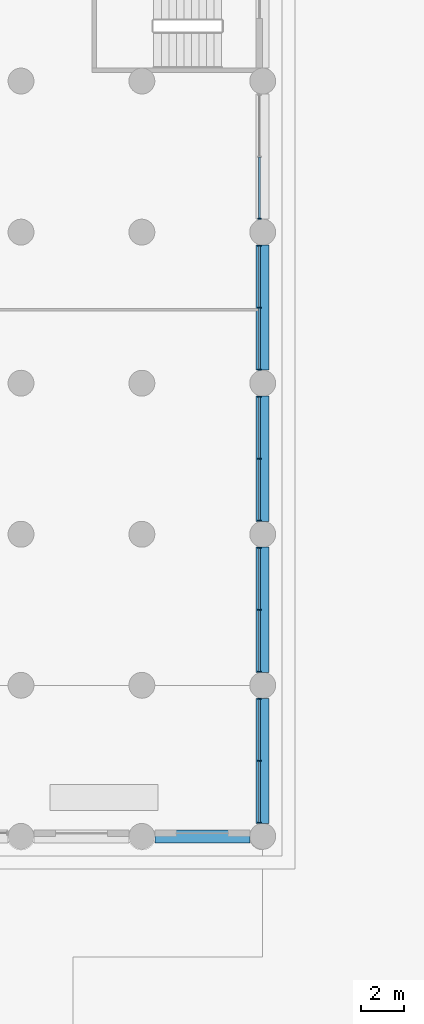
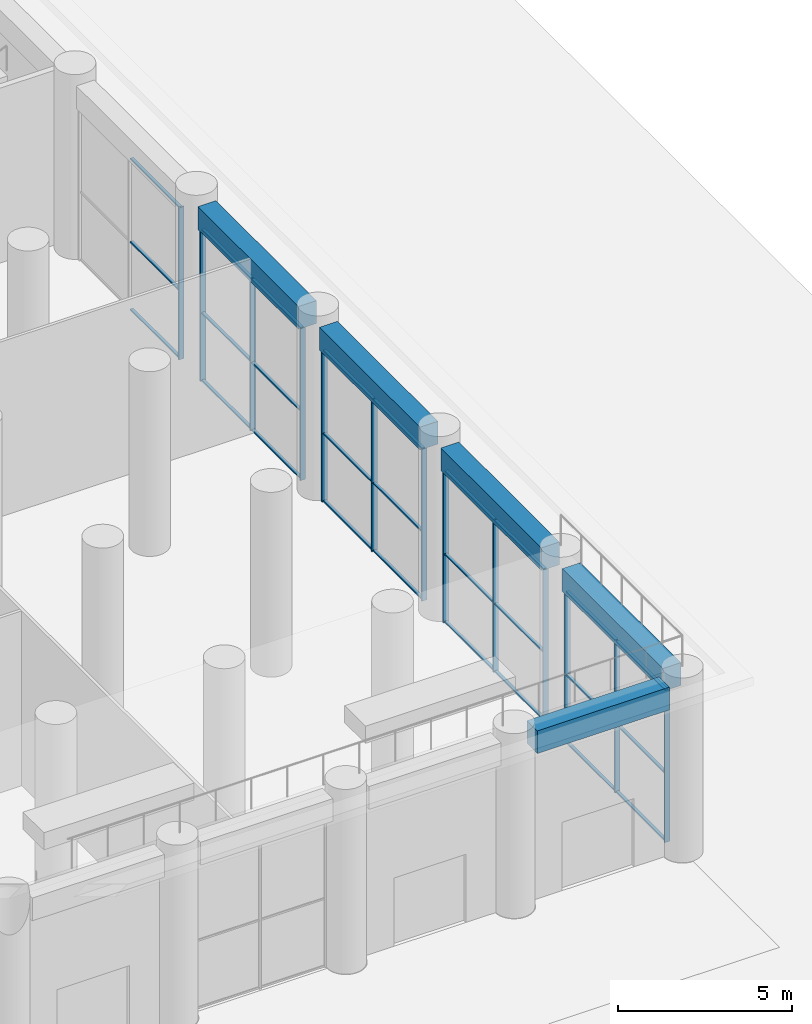
# One storey, part 7 of 51: 40 members, 5 beams, 5 elements without a shape of their own.
"""IFC4 building model written with IfcOpenShell, lengths in metres."""

from ifc_helpers import new_model, si_unit, direction, frame, origin, origin_2d, place, context, subcontext, project, spatial, rectangle, extrude, material, layer, layer_set, material_profile, profile_set, type_object, element, aggregate, save


model = new_model("IFC4")

# Units and contexts
model_context = context("Model", 3, precision=1e-05, world=origin(), true_north=direction((0.0, 1.0)))
body_context = subcontext(model_context, "Body", "Model", "MODEL_VIEW")
ifc_project = project(units=[si_unit("LENGTHUNIT", "METRE"), si_unit("AREAUNIT", "SQUARE_METRE"), si_unit("VOLUMEUNIT", "CUBIC_METRE"), si_unit("PLANEANGLEUNIT", "RADIAN"), si_unit("MASSUNIT", "GRAM", prefix="KILO")], contexts=[model_context])

# Site, building, storey
site_placement = place(None, origin())
site = spatial("IfcSite", under=ifc_project, at=site_placement, CompositionType="ELEMENT")
building_placement = place(site_placement, origin())
building = spatial("IfcBuilding", under=site, at=building_placement, Name="Kiln Ring Residences", CompositionType="ELEMENT")
storey_placement = place(building_placement, origin())
storey = spatial("IfcBuildingStorey", under=building, at=storey_placement, Name="L00", CompositionType="ELEMENT", Elevation=0.0)

# Curtain wall, members
ifc_material_1 = material(Name="Aluminium and glass", Category="aluminium")
ifc_layer = layer(ifc_material_1, 0.179931640625)
ifc_layer_set = layer_set([ifc_layer], Name="CW2 CURTAIN WALL")
curtain_wall_type = type_object("IfcCurtainWallType", Name="CW2 CURTAIN WALL", PredefinedType="NOTDEFINED", material=ifc_layer_set)
placement = place(storey_placement, origin())
curtain_wall_1 = element("IfcCurtainWall", 1, at=placement, inside=storey, type_object=curtain_wall_type, Name="Curtain wall CW2 L00", PredefinedType="NOTDEFINED")
ifc_material_2 = material(Name="Aluminium 6063-T6", Category="aluminium")
ifc_material_profile_1 = material_profile(ifc_material_2, rectangle(XDim=0.179931640625, YDim=0.050048828125, at=origin_2d()), Name="AL 180x50")
ifc_profile_set_1 = profile_set([ifc_material_profile_1], Name="Aluminium 6063-T6")
member_type_1 = type_object("IfcMemberType", Name="CW2 MULLION 180 x 50", PredefinedType="MULLION", material=ifc_profile_set_1)
member_1_placement = place(storey_placement, frame((44.64990234375, -63.77490234375, 0.0), z_axis=(0.0, 0.0, 1.0), x_axis=(-1.0, 0.0, 0.0)))
member_1 = element("IfcMember", 2, at=member_1_placement, type_object=member_type_1, Name="CW2 mullion 1", PredefinedType="MULLION", context=body_context, shape_type="SweptSolid", body=[
    extrude(rectangle(XDim=0.179931640625, YDim=0.050048828125, at=origin_2d()), origin(), (0.0, 0.0, 1.0), 5.35009765625),
])
member_2_placement = place(storey_placement, frame((44.64990234375, -60.89990234375, 0.0), z_axis=(0.0, 0.0, 1.0), x_axis=(-1.0, 0.0, 0.0)))
member_2 = element("IfcMember", 3, at=member_2_placement, type_object=member_type_1, Name="CW2 mullion 2", PredefinedType="MULLION", context=body_context, shape_type="SweptSolid", body=[
    extrude(rectangle(XDim=0.179931640625, YDim=0.050048828125, at=origin_2d()), origin(), (0.0, 0.0, 1.0), 5.35009765625),
])
member_3_placement = place(storey_placement, frame((44.64990234375, -58.02490234375, 0.0), z_axis=(0.0, 0.0, 1.0), x_axis=(-1.0, 0.0, 0.0)))
member_3 = element("IfcMember", 4, at=member_3_placement, type_object=member_type_1, Name="CW2 mullion 3", PredefinedType="MULLION", context=body_context, shape_type="SweptSolid", body=[
    extrude(rectangle(XDim=0.179931640625, YDim=0.050048828125, at=origin_2d()), origin(), (0.0, 0.0, 1.0), 5.35009765625),
])

curtain_wall_2 = element("IfcCurtainWall", 5, at=placement, inside=storey, type_object=curtain_wall_type, Name="Curtain wall CW2 L00", PredefinedType="NOTDEFINED")
member_4_placement = place(storey_placement, frame((44.64990234375, -56.77490234375, 0.0), z_axis=(0.0, 0.0, 1.0), x_axis=(-1.0, 0.0, 0.0)))
member_4 = element("IfcMember", 6, at=member_4_placement, type_object=member_type_1, Name="CW2 mullion 1", PredefinedType="MULLION", context=body_context, shape_type="SweptSolid", body=[
    extrude(rectangle(XDim=0.179931640625, YDim=0.050048828125, at=origin_2d()), origin(), (0.0, 0.0, 1.0), 5.35009765625),
])
member_5_placement = place(storey_placement, frame((44.64990234375, -53.89990234375, 0.0), z_axis=(0.0, 0.0, 1.0), x_axis=(-1.0, 0.0, 0.0)))
member_5 = element("IfcMember", 7, at=member_5_placement, type_object=member_type_1, Name="CW2 mullion 2", PredefinedType="MULLION", context=body_context, shape_type="SweptSolid", body=[
    extrude(rectangle(XDim=0.179931640625, YDim=0.050048828125, at=origin_2d()), origin(), (0.0, 0.0, 1.0), 5.35009765625),
])
member_6_placement = place(storey_placement, frame((44.64990234375, -51.02490234375, 0.0), z_axis=(0.0, 0.0, 1.0), x_axis=(-1.0, 0.0, 0.0)))
member_6 = element("IfcMember", 8, at=member_6_placement, type_object=member_type_1, Name="CW2 mullion 3", PredefinedType="MULLION", context=body_context, shape_type="SweptSolid", body=[
    extrude(rectangle(XDim=0.179931640625, YDim=0.050048828125, at=origin_2d()), origin(), (0.0, 0.0, 1.0), 5.35009765625),
])

curtain_wall_3 = element("IfcCurtainWall", 9, at=placement, inside=storey, type_object=curtain_wall_type, Name="Curtain wall CW2 L00", PredefinedType="NOTDEFINED")
member_7_placement = place(storey_placement, frame((44.64990234375, -49.77490234375, 0.0), z_axis=(0.0, 0.0, 1.0), x_axis=(-1.0, 0.0, 0.0)))
member_7 = element("IfcMember", 10, at=member_7_placement, type_object=member_type_1, Name="CW2 mullion 1", PredefinedType="MULLION", context=body_context, shape_type="SweptSolid", body=[
    extrude(rectangle(XDim=0.179931640625, YDim=0.050048828125, at=origin_2d()), origin(), (0.0, 0.0, 1.0), 5.35009765625),
])
member_8_placement = place(storey_placement, frame((44.64990234375, -46.89990234375, 0.0), z_axis=(0.0, 0.0, 1.0), x_axis=(-1.0, 0.0, 0.0)))
member_8 = element("IfcMember", 11, at=member_8_placement, type_object=member_type_1, Name="CW2 mullion 2", PredefinedType="MULLION", context=body_context, shape_type="SweptSolid", body=[
    extrude(rectangle(XDim=0.179931640625, YDim=0.050048828125, at=origin_2d()), origin(), (0.0, 0.0, 1.0), 5.35009765625),
])
member_9_placement = place(storey_placement, frame((44.64990234375, -44.02490234375, 0.0), z_axis=(0.0, 0.0, 1.0), x_axis=(-1.0, 0.0, 0.0)))
member_9 = element("IfcMember", 12, at=member_9_placement, type_object=member_type_1, Name="CW2 mullion 3", PredefinedType="MULLION", context=body_context, shape_type="SweptSolid", body=[
    extrude(rectangle(XDim=0.179931640625, YDim=0.050048828125, at=origin_2d()), origin(), (0.0, 0.0, 1.0), 5.35009765625),
])

curtain_wall_4 = element("IfcCurtainWall", 13, at=placement, inside=storey, type_object=curtain_wall_type, Name="Curtain wall CW2 L00", PredefinedType="NOTDEFINED")
member_10_placement = place(storey_placement, frame((44.64990234375, -42.77490234375, 0.0), z_axis=(0.0, 0.0, 1.0), x_axis=(-1.0, 0.0, 0.0)))
member_10 = element("IfcMember", 14, at=member_10_placement, type_object=member_type_1, Name="CW2 mullion 1", PredefinedType="MULLION", context=body_context, shape_type="SweptSolid", body=[
    extrude(rectangle(XDim=0.179931640625, YDim=0.050048828125, at=origin_2d()), origin(), (0.0, 0.0, 1.0), 5.35009765625),
])
member_11_placement = place(storey_placement, frame((44.64990234375, -39.89990234375, 0.0), z_axis=(0.0, 0.0, 1.0), x_axis=(-1.0, 0.0, 0.0)))
member_11 = element("IfcMember", 15, at=member_11_placement, type_object=member_type_1, Name="CW2 mullion 2", PredefinedType="MULLION", context=body_context, shape_type="SweptSolid", body=[
    extrude(rectangle(XDim=0.179931640625, YDim=0.050048828125, at=origin_2d()), origin(), (0.0, 0.0, 1.0), 5.35009765625),
])
member_12_placement = place(storey_placement, frame((44.64990234375, -37.02490234375, 0.0), z_axis=(0.0, 0.0, 1.0), x_axis=(-1.0, 0.0, 0.0)))
member_12 = element("IfcMember", 16, at=member_12_placement, type_object=member_type_1, Name="CW2 mullion 3", PredefinedType="MULLION", context=body_context, shape_type="SweptSolid", body=[
    extrude(rectangle(XDim=0.179931640625, YDim=0.050048828125, at=origin_2d()), origin(), (0.0, 0.0, 1.0), 5.35009765625),
])

# Curtain wall, member
curtain_wall_5 = element("IfcCurtainWall", 17, at=placement, inside=storey, type_object=curtain_wall_type, Name="Curtain wall CW2 L00", PredefinedType="NOTDEFINED")
member_13_placement = place(storey_placement, frame((44.64990234375, -35.77490234375, 0.0), z_axis=(0.0, 0.0, 1.0), x_axis=(-1.0, 0.0, 0.0)))
member_13 = element("IfcMember", 18, at=member_13_placement, type_object=member_type_1, Name="CW2 mullion 1", PredefinedType="MULLION", context=body_context, shape_type="SweptSolid", body=[
    extrude(rectangle(XDim=0.179931640625, YDim=0.050048828125, at=origin_2d()), origin(), (0.0, 0.0, 1.0), 5.35009765625),
])

# Member
ifc_material_3 = material(Name="Aluminium 6063-T6", Category="aluminium")
ifc_material_profile_2 = material_profile(ifc_material_3, rectangle(XDim=0.10009765625, YDim=0.050048828125, at=origin_2d()), Name="AL 100x50")
ifc_profile_set_2 = profile_set([ifc_material_profile_2], Name="Aluminium 6063-T6")
member_type_2 = type_object("IfcMemberType", Name="CW2 TRANSOM 100 x 50", PredefinedType="USERDEFINED", material=ifc_profile_set_2)
member_14_placement = place(storey_placement, frame((44.64990234375, -63.75, 0.02490234375), z_axis=(0.0, 1.0, 0.0), x_axis=(-1.0, 0.0, 0.0)))
member_14 = element("IfcMember", 19, at=member_14_placement, type_object=member_type_2, Name="CW2 transom 1.1", ObjectType="TRANSOM", PredefinedType="USERDEFINED", context=body_context, shape_type="SweptSolid", body=[
    extrude(rectangle(XDim=0.10009765625, YDim=0.050048828125, at=origin_2d()), origin(), (0.0, 0.0, 1.0), 2.824951171875),
])

member_15_placement = place(storey_placement, frame((44.64990234375, -63.75, 2.39990234375), z_axis=(0.0, 1.0, 0.0), x_axis=(-1.0, 0.0, 0.0)))
member_15 = element("IfcMember", 20, at=member_15_placement, type_object=member_type_2, Name="CW2 transom 1.2", ObjectType="TRANSOM", PredefinedType="USERDEFINED", context=body_context, shape_type="SweptSolid", body=[
    extrude(rectangle(XDim=0.10009765625, YDim=0.050048828125, at=origin_2d()), origin(), (0.0, 0.0, 1.0), 2.824951171875),
])

member_16_placement = place(storey_placement, frame((44.64990234375, -63.75, 5.324951171875), z_axis=(0.0, 1.0, 0.0), x_axis=(-1.0, 0.0, 0.0)))
member_16 = element("IfcMember", 21, at=member_16_placement, type_object=member_type_2, Name="CW2 transom 1.3", ObjectType="TRANSOM", PredefinedType="USERDEFINED", context=body_context, shape_type="SweptSolid", body=[
    extrude(rectangle(XDim=0.10009765625, YDim=0.050048828125, at=origin_2d()), origin(), (0.0, 0.0, 1.0), 2.824951171875),
])

member_17_placement = place(storey_placement, frame((44.64990234375, -60.875, 0.02490234375), z_axis=(0.0, 1.0, 0.0), x_axis=(-1.0, 0.0, 0.0)))
member_17 = element("IfcMember", 22, at=member_17_placement, type_object=member_type_2, Name="CW2 transom 2.1", ObjectType="TRANSOM", PredefinedType="USERDEFINED", context=body_context, shape_type="SweptSolid", body=[
    extrude(rectangle(XDim=0.10009765625, YDim=0.050048828125, at=origin_2d()), origin(), (0.0, 0.0, 1.0), 2.824951171875),
])

member_18_placement = place(storey_placement, frame((44.64990234375, -60.875, 2.39990234375), z_axis=(0.0, 1.0, 0.0), x_axis=(-1.0, 0.0, 0.0)))
member_18 = element("IfcMember", 23, at=member_18_placement, type_object=member_type_2, Name="CW2 transom 2.2", ObjectType="TRANSOM", PredefinedType="USERDEFINED", context=body_context, shape_type="SweptSolid", body=[
    extrude(rectangle(XDim=0.10009765625, YDim=0.050048828125, at=origin_2d()), origin(), (0.0, 0.0, 1.0), 2.824951171875),
])

member_19_placement = place(storey_placement, frame((44.64990234375, -60.875, 5.324951171875), z_axis=(0.0, 1.0, 0.0), x_axis=(-1.0, 0.0, 0.0)))
member_19 = element("IfcMember", 24, at=member_19_placement, type_object=member_type_2, Name="CW2 transom 2.3", ObjectType="TRANSOM", PredefinedType="USERDEFINED", context=body_context, shape_type="SweptSolid", body=[
    extrude(rectangle(XDim=0.10009765625, YDim=0.050048828125, at=origin_2d()), origin(), (0.0, 0.0, 1.0), 2.824951171875),
])

aggregate(curtain_wall_1, [member_1, member_2, member_3, member_14, member_15, member_16, member_17, member_18, member_19])

member_20_placement = place(storey_placement, frame((44.64990234375, -56.75, 0.02490234375), z_axis=(0.0, 1.0, 0.0), x_axis=(-1.0, 0.0, 0.0)))
member_20 = element("IfcMember", 25, at=member_20_placement, type_object=member_type_2, Name="CW2 transom 1.1", ObjectType="TRANSOM", PredefinedType="USERDEFINED", context=body_context, shape_type="SweptSolid", body=[
    extrude(rectangle(XDim=0.10009765625, YDim=0.050048828125, at=origin_2d()), origin(), (0.0, 0.0, 1.0), 2.824951171875),
])

member_21_placement = place(storey_placement, frame((44.64990234375, -56.75, 2.39990234375), z_axis=(0.0, 1.0, 0.0), x_axis=(-1.0, 0.0, 0.0)))
member_21 = element("IfcMember", 26, at=member_21_placement, type_object=member_type_2, Name="CW2 transom 1.2", ObjectType="TRANSOM", PredefinedType="USERDEFINED", context=body_context, shape_type="SweptSolid", body=[
    extrude(rectangle(XDim=0.10009765625, YDim=0.050048828125, at=origin_2d()), origin(), (0.0, 0.0, 1.0), 2.824951171875),
])

member_22_placement = place(storey_placement, frame((44.64990234375, -56.75, 5.324951171875), z_axis=(0.0, 1.0, 0.0), x_axis=(-1.0, 0.0, 0.0)))
member_22 = element("IfcMember", 27, at=member_22_placement, type_object=member_type_2, Name="CW2 transom 1.3", ObjectType="TRANSOM", PredefinedType="USERDEFINED", context=body_context, shape_type="SweptSolid", body=[
    extrude(rectangle(XDim=0.10009765625, YDim=0.050048828125, at=origin_2d()), origin(), (0.0, 0.0, 1.0), 2.824951171875),
])

member_23_placement = place(storey_placement, frame((44.64990234375, -53.875, 0.02490234375), z_axis=(0.0, 1.0, 0.0), x_axis=(-1.0, 0.0, 0.0)))
member_23 = element("IfcMember", 28, at=member_23_placement, type_object=member_type_2, Name="CW2 transom 2.1", ObjectType="TRANSOM", PredefinedType="USERDEFINED", context=body_context, shape_type="SweptSolid", body=[
    extrude(rectangle(XDim=0.10009765625, YDim=0.050048828125, at=origin_2d()), origin(), (0.0, 0.0, 1.0), 2.824951171875),
])

member_24_placement = place(storey_placement, frame((44.64990234375, -53.875, 2.39990234375), z_axis=(0.0, 1.0, 0.0), x_axis=(-1.0, 0.0, 0.0)))
member_24 = element("IfcMember", 29, at=member_24_placement, type_object=member_type_2, Name="CW2 transom 2.2", ObjectType="TRANSOM", PredefinedType="USERDEFINED", context=body_context, shape_type="SweptSolid", body=[
    extrude(rectangle(XDim=0.10009765625, YDim=0.050048828125, at=origin_2d()), origin(), (0.0, 0.0, 1.0), 2.824951171875),
])

member_25_placement = place(storey_placement, frame((44.64990234375, -53.875, 5.324951171875), z_axis=(0.0, 1.0, 0.0), x_axis=(-1.0, 0.0, 0.0)))
member_25 = element("IfcMember", 30, at=member_25_placement, type_object=member_type_2, Name="CW2 transom 2.3", ObjectType="TRANSOM", PredefinedType="USERDEFINED", context=body_context, shape_type="SweptSolid", body=[
    extrude(rectangle(XDim=0.10009765625, YDim=0.050048828125, at=origin_2d()), origin(), (0.0, 0.0, 1.0), 2.824951171875),
])

aggregate(curtain_wall_2, [member_4, member_5, member_6, member_20, member_21, member_22, member_23, member_24, member_25])

member_26_placement = place(storey_placement, frame((44.64990234375, -49.75, 0.02490234375), z_axis=(0.0, 1.0, 0.0), x_axis=(-1.0, 0.0, 0.0)))
member_26 = element("IfcMember", 31, at=member_26_placement, type_object=member_type_2, Name="CW2 transom 1.1", ObjectType="TRANSOM", PredefinedType="USERDEFINED", context=body_context, shape_type="SweptSolid", body=[
    extrude(rectangle(XDim=0.10009765625, YDim=0.050048828125, at=origin_2d()), origin(), (0.0, 0.0, 1.0), 2.824951171875),
])

member_27_placement = place(storey_placement, frame((44.64990234375, -49.75, 2.39990234375), z_axis=(0.0, 1.0, 0.0), x_axis=(-1.0, 0.0, 0.0)))
member_27 = element("IfcMember", 32, at=member_27_placement, type_object=member_type_2, Name="CW2 transom 1.2", ObjectType="TRANSOM", PredefinedType="USERDEFINED", context=body_context, shape_type="SweptSolid", body=[
    extrude(rectangle(XDim=0.10009765625, YDim=0.050048828125, at=origin_2d()), origin(), (0.0, 0.0, 1.0), 2.824951171875),
])

member_28_placement = place(storey_placement, frame((44.64990234375, -49.75, 5.324951171875), z_axis=(0.0, 1.0, 0.0), x_axis=(-1.0, 0.0, 0.0)))
member_28 = element("IfcMember", 33, at=member_28_placement, type_object=member_type_2, Name="CW2 transom 1.3", ObjectType="TRANSOM", PredefinedType="USERDEFINED", context=body_context, shape_type="SweptSolid", body=[
    extrude(rectangle(XDim=0.10009765625, YDim=0.050048828125, at=origin_2d()), origin(), (0.0, 0.0, 1.0), 2.824951171875),
])

member_29_placement = place(storey_placement, frame((44.64990234375, -46.875, 0.02490234375), z_axis=(0.0, 1.0, 0.0), x_axis=(-1.0, 0.0, 0.0)))
member_29 = element("IfcMember", 34, at=member_29_placement, type_object=member_type_2, Name="CW2 transom 2.1", ObjectType="TRANSOM", PredefinedType="USERDEFINED", context=body_context, shape_type="SweptSolid", body=[
    extrude(rectangle(XDim=0.10009765625, YDim=0.050048828125, at=origin_2d()), origin(), (0.0, 0.0, 1.0), 2.824951171875),
])

member_30_placement = place(storey_placement, frame((44.64990234375, -46.875, 2.39990234375), z_axis=(0.0, 1.0, 0.0), x_axis=(-1.0, 0.0, 0.0)))
member_30 = element("IfcMember", 35, at=member_30_placement, type_object=member_type_2, Name="CW2 transom 2.2", ObjectType="TRANSOM", PredefinedType="USERDEFINED", context=body_context, shape_type="SweptSolid", body=[
    extrude(rectangle(XDim=0.10009765625, YDim=0.050048828125, at=origin_2d()), origin(), (0.0, 0.0, 1.0), 2.824951171875),
])

member_31_placement = place(storey_placement, frame((44.64990234375, -46.875, 5.324951171875), z_axis=(0.0, 1.0, 0.0), x_axis=(-1.0, 0.0, 0.0)))
member_31 = element("IfcMember", 36, at=member_31_placement, type_object=member_type_2, Name="CW2 transom 2.3", ObjectType="TRANSOM", PredefinedType="USERDEFINED", context=body_context, shape_type="SweptSolid", body=[
    extrude(rectangle(XDim=0.10009765625, YDim=0.050048828125, at=origin_2d()), origin(), (0.0, 0.0, 1.0), 2.824951171875),
])

aggregate(curtain_wall_3, [member_7, member_8, member_9, member_26, member_27, member_28, member_29, member_30, member_31])

member_32_placement = place(storey_placement, frame((44.64990234375, -42.75, 0.02490234375), z_axis=(0.0, 1.0, 0.0), x_axis=(-1.0, 0.0, 0.0)))
member_32 = element("IfcMember", 37, at=member_32_placement, type_object=member_type_2, Name="CW2 transom 1.1", ObjectType="TRANSOM", PredefinedType="USERDEFINED", context=body_context, shape_type="SweptSolid", body=[
    extrude(rectangle(XDim=0.10009765625, YDim=0.050048828125, at=origin_2d()), origin(), (0.0, 0.0, 1.0), 2.824951171875),
])

member_33_placement = place(storey_placement, frame((44.64990234375, -42.75, 2.39990234375), z_axis=(0.0, 1.0, 0.0), x_axis=(-1.0, 0.0, 0.0)))
member_33 = element("IfcMember", 38, at=member_33_placement, type_object=member_type_2, Name="CW2 transom 1.2", ObjectType="TRANSOM", PredefinedType="USERDEFINED", context=body_context, shape_type="SweptSolid", body=[
    extrude(rectangle(XDim=0.10009765625, YDim=0.050048828125, at=origin_2d()), origin(), (0.0, 0.0, 1.0), 2.824951171875),
])

member_34_placement = place(storey_placement, frame((44.64990234375, -42.75, 5.324951171875), z_axis=(0.0, 1.0, 0.0), x_axis=(-1.0, 0.0, 0.0)))
member_34 = element("IfcMember", 39, at=member_34_placement, type_object=member_type_2, Name="CW2 transom 1.3", ObjectType="TRANSOM", PredefinedType="USERDEFINED", context=body_context, shape_type="SweptSolid", body=[
    extrude(rectangle(XDim=0.10009765625, YDim=0.050048828125, at=origin_2d()), origin(), (0.0, 0.0, 1.0), 2.824951171875),
])

member_35_placement = place(storey_placement, frame((44.64990234375, -39.875, 0.02490234375), z_axis=(0.0, 1.0, 0.0), x_axis=(-1.0, 0.0, 0.0)))
member_35 = element("IfcMember", 40, at=member_35_placement, type_object=member_type_2, Name="CW2 transom 2.1", ObjectType="TRANSOM", PredefinedType="USERDEFINED", context=body_context, shape_type="SweptSolid", body=[
    extrude(rectangle(XDim=0.10009765625, YDim=0.050048828125, at=origin_2d()), origin(), (0.0, 0.0, 1.0), 2.824951171875),
])

member_36_placement = place(storey_placement, frame((44.64990234375, -39.875, 2.39990234375), z_axis=(0.0, 1.0, 0.0), x_axis=(-1.0, 0.0, 0.0)))
member_36 = element("IfcMember", 41, at=member_36_placement, type_object=member_type_2, Name="CW2 transom 2.2", ObjectType="TRANSOM", PredefinedType="USERDEFINED", context=body_context, shape_type="SweptSolid", body=[
    extrude(rectangle(XDim=0.10009765625, YDim=0.050048828125, at=origin_2d()), origin(), (0.0, 0.0, 1.0), 2.824951171875),
])

member_37_placement = place(storey_placement, frame((44.64990234375, -39.875, 5.324951171875), z_axis=(0.0, 1.0, 0.0), x_axis=(-1.0, 0.0, 0.0)))
member_37 = element("IfcMember", 42, at=member_37_placement, type_object=member_type_2, Name="CW2 transom 2.3", ObjectType="TRANSOM", PredefinedType="USERDEFINED", context=body_context, shape_type="SweptSolid", body=[
    extrude(rectangle(XDim=0.10009765625, YDim=0.050048828125, at=origin_2d()), origin(), (0.0, 0.0, 1.0), 2.824951171875),
])

aggregate(curtain_wall_4, [member_10, member_11, member_12, member_32, member_33, member_34, member_35, member_36, member_37])

member_38_placement = place(storey_placement, frame((44.64990234375, -35.75, 0.02490234375), z_axis=(0.0, 1.0, 0.0), x_axis=(-1.0, 0.0, 0.0)))
member_38 = element("IfcMember", 43, at=member_38_placement, type_object=member_type_2, Name="CW2 transom 1.1", ObjectType="TRANSOM", PredefinedType="USERDEFINED", context=body_context, shape_type="SweptSolid", body=[
    extrude(rectangle(XDim=0.10009765625, YDim=0.050048828125, at=origin_2d()), origin(), (0.0, 0.0, 1.0), 2.824951171875),
])

member_39_placement = place(storey_placement, frame((44.64990234375, -35.75, 2.39990234375), z_axis=(0.0, 1.0, 0.0), x_axis=(-1.0, 0.0, 0.0)))
member_39 = element("IfcMember", 44, at=member_39_placement, type_object=member_type_2, Name="CW2 transom 1.2", ObjectType="TRANSOM", PredefinedType="USERDEFINED", context=body_context, shape_type="SweptSolid", body=[
    extrude(rectangle(XDim=0.10009765625, YDim=0.050048828125, at=origin_2d()), origin(), (0.0, 0.0, 1.0), 2.824951171875),
])

member_40_placement = place(storey_placement, frame((44.64990234375, -35.75, 5.324951171875), z_axis=(0.0, 1.0, 0.0), x_axis=(-1.0, 0.0, 0.0)))
member_40 = element("IfcMember", 45, at=member_40_placement, type_object=member_type_2, Name="CW2 transom 1.3", ObjectType="TRANSOM", PredefinedType="USERDEFINED", context=body_context, shape_type="SweptSolid", body=[
    extrude(rectangle(XDim=0.10009765625, YDim=0.050048828125, at=origin_2d()), origin(), (0.0, 0.0, 1.0), 2.824951171875),
])

aggregate(curtain_wall_5, [member_13, member_38, member_39, member_40])

# Beams
ifc_material_4 = material(Name="Concrete C50/60", Category="concrete")
ifc_material_profile_3 = material_profile(ifc_material_4, rectangle(XDim=0.60009765625, YDim=0.800048828125, at=origin_2d()), Name="RC600x800")
ifc_profile_set_3 = profile_set([ifc_material_profile_3], Name="Concrete C50/60")
beam_type = type_object("IfcBeamType", Name="Ring beam RC600x800 C50/60", PredefinedType="BEAM", material=ifc_profile_set_3)
beam_placement = place(storey_placement, frame((39.800048828125, -64.39990234375, 5.75), z_axis=(1.0, 0.0, 0.0), x_axis=(0.0, 1.0, 0.0)))
element("IfcBeam", 46, at=beam_placement, inside=storey, type_object=beam_type, Name="Ring beam L00 16", PredefinedType="BEAM", context=body_context, shape_type="SweptSolid", body=[
    extrude(rectangle(XDim=0.60009765625, YDim=0.800048828125, at=origin_2d()), origin(), (0.0, 0.0, 1.0), 4.39990234375),
])
for number, where, z_axis, x_axis, name in (
    (47, (44.800048828125, -37.0, 5.75), (0.0, -1.0, 0.0), (1.0, 0.0, 0.0), "Ring beam L00 25"),
    (48, (44.800048828125, -44.0, 5.75), (0.0, -1.0, 0.0), (1.0, 0.0, 0.0), "Ring beam L00 26"),
    (49, (44.800048828125, -51.0, 5.75), (0.0, -1.0, 0.0), (1.0, 0.0, 0.0), "Ring beam L00 27"),
    (50, (44.800048828125, -58.0, 5.75), (0.0, -1.0, 0.0), (1.0, 0.0, 0.0), "Ring beam L00 28"),
):
    element("IfcBeam", number, at=place(storey_placement, frame(where, z_axis=z_axis, x_axis=x_axis)), inside=storey, type_object=beam_type, Name=name, PredefinedType="BEAM", context=body_context, shape_type="SweptSolid", body=[
        extrude(rectangle(XDim=0.60009765625, YDim=0.800048828125, at=origin_2d()), origin(), (0.0, 0.0, 1.0), 5.800048828125),
    ])

save(model, "model.ifc")
